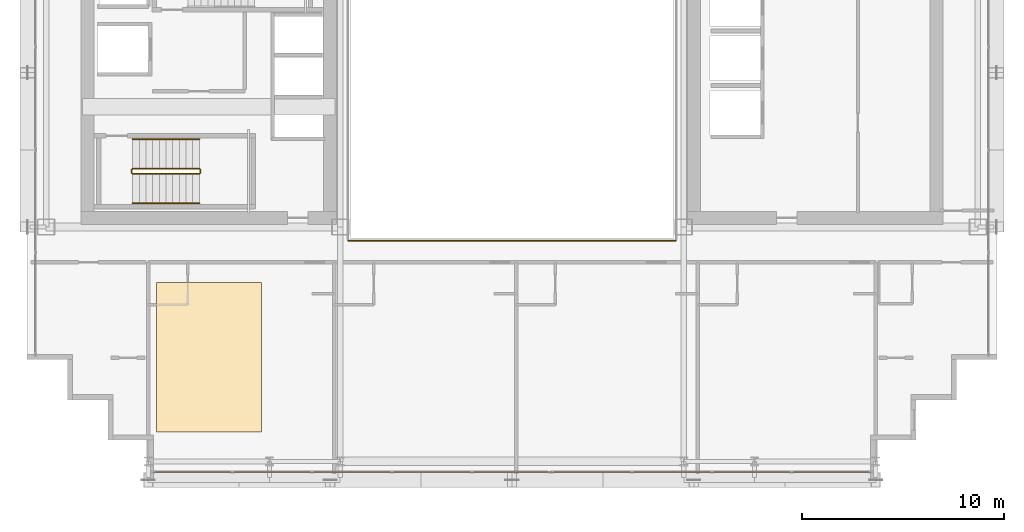
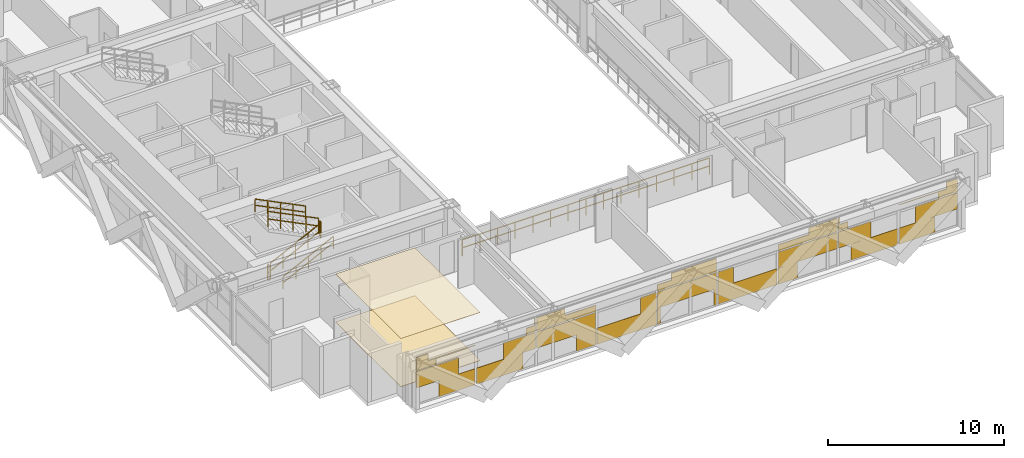
# One storey, part 31 of 34: 7 railings, 3 coverings.
"""IFC4 building model written with IfcOpenShell, lengths in metres."""

from ifc_helpers import new_model, si_unit, direction, frame, origin, origin_2d, place, context, subcontext, project, spatial, polyline, rectangle, outline, extrude, material, layer, layer_set, type_object, element, save


model = new_model("IFC4")

# Units and contexts
model_context = context("Model", 3, precision=1e-05, world=origin(), true_north=direction((0.0, 1.0)))
body_context = subcontext(model_context, "Body", "Model", "MODEL_VIEW")
ifc_project = project(units=[si_unit("LENGTHUNIT", "METRE"), si_unit("AREAUNIT", "SQUARE_METRE"), si_unit("VOLUMEUNIT", "CUBIC_METRE"), si_unit("PLANEANGLEUNIT", "RADIAN"), si_unit("MASSUNIT", "GRAM", prefix="KILO")], contexts=[model_context])

# Site, building, storey
site_placement = place(None, origin())
site = spatial("IfcSite", under=ifc_project, at=site_placement, CompositionType="ELEMENT")
building_placement = place(site_placement, origin())
building = spatial("IfcBuilding", under=site, at=building_placement, Name="Ocotamira Hotel", CompositionType="ELEMENT")
storey_placement = place(building_placement, frame((0.0, 0.0, 108.0)))
storey = spatial("IfcBuildingStorey", under=building, at=storey_placement, Name="L26", CompositionType="ELEMENT", Elevation=108.0)

# Coverings
ifc_material_1 = material(Name="Perforated acoustic gypsum ceiling board", Category="gypsum")
ifc_layer_1 = layer(ifc_material_1, 0.02490234375)
ifc_layer_set_1 = layer_set([ifc_layer_1], Name="Perforated acoustic gypsum ceiling board")
covering_type_1 = type_object("IfcCoveringType", Name="COV-CEIL-25", PredefinedType="CEILING", material=ifc_layer_set_1)
covering_1_placement = place(storey_placement, frame((0.0, 0.0, 3.3349609375)))
element("IfcCovering", 1, at=covering_1_placement, inside=storey, type_object=covering_type_1, Name="L26 Acoustic Ceiling", PredefinedType="CEILING", context=body_context, shape_type="SweptSolid", body=[
    extrude(outline(polyline([(14.39990234375, 4.39990234375), (19.60009765625, 4.39990234375), (19.60009765625, 11.800048828125), (14.39990234375, 11.800048828125), (14.39990234375, 4.39990234375)])), origin(), (0.0, 0.0, 1.0), 0.025146484375),
])
ifc_material_2 = material(Name="Honed desert travertine stone flooring", Category="masonry")
ifc_layer_2 = layer(ifc_material_2, 0.030029296875)
ifc_layer_set_2 = layer_set([ifc_layer_2], Name="Honed desert travertine stone flooring")
covering_type_2 = type_object("IfcCoveringType", Name="COV-FLOR-30", PredefinedType="FLOORING", material=ifc_layer_set_2)
covering_2_placement = place(storey_placement, origin())
element("IfcCovering", 2, at=covering_2_placement, inside=storey, type_object=covering_type_2, Name="L26 Honed Stone Floor Finish", PredefinedType="FLOORING", context=body_context, shape_type="SweptSolid", body=[
    extrude(outline(polyline([(14.39990234375, 4.39990234375), (19.60009765625, 4.39990234375), (19.60009765625, 11.800048828125), (14.39990234375, 11.800048828125), (14.39990234375, 4.39990234375)])), origin(), (0.0, 0.0, 1.0), 0.030029296875),
])
ifc_material_3 = material(Name="Insulated pale-metal aluminium spandrel panel", Category="aluminium")
ifc_layer_3 = layer(ifc_material_3, 0.044921875)
ifc_layer_set_3 = layer_set([ifc_layer_3], Name="Insulated pale-metal aluminium spandrel panel")
covering_type_3 = type_object("IfcCoveringType", Name="COV-INFILL-45", PredefinedType="CLADDING", material=ifc_layer_set_3)
covering_3_placement = place(storey_placement, origin())
element("IfcCovering", 3, at=covering_3_placement, inside=storey, type_object=covering_type_3, Name="L26 Curtain Wall Infill CW-3 CW-L26-S1", PredefinedType="CLADDING", context=body_context, shape_type="SweptSolid", body=[
    extrude(rectangle(XDim=2.754638671875, YDim=0.044921875, at=origin_2d()), frame((15.65771484375, 2.419921875, 1.1943359375), z_axis=(0.0, 0.0, 1.0), x_axis=(1.0, 0.0, 0.0)), (0.0, 0.0, 1.0), 1.117919921875),
    extrude(rectangle(XDim=2.359619140625, YDim=0.044921875, at=origin_2d()), frame((16.935302734375, 2.419921875, 0.07568359375), z_axis=(0.0, 0.0, 1.0), x_axis=(1.0, 0.0, 0.0)), (0.0, 0.0, 1.0), 1.11767578125),
    extrude(rectangle(XDim=1.262451171875, YDim=0.044921875, at=origin_2d()), frame((14.91162109375, 2.419921875, 2.387939453125), z_axis=(0.0, 0.0, 1.0), x_axis=(1.0, 0.0, 0.0)), (0.0, 0.0, 1.0), 0.3935546875),
    extrude(rectangle(XDim=3.834716796875, YDim=0.044921875, at=origin_2d()), frame((16.19775390625, 2.419921875, 2.782470703125), z_axis=(0.0, 0.0, 1.0), x_axis=(1.0, 0.0, 0.0)), (0.0, 0.0, 1.0), 0.0302734375),
    extrude(rectangle(XDim=0.730224609375, YDim=0.044921875, at=origin_2d()), frame((14.6455078125, 2.419921875, 2.813720703125), z_axis=(0.0, 0.0, 1.0), x_axis=(1.0, 0.0, 0.0)), (0.0, 0.0, 1.0), 0.470703125),
    extrude(rectangle(XDim=3.04833984375, YDim=0.044921875, at=origin_2d()), frame((19.72021484375, 2.419921875, 0.07568359375), z_axis=(0.0, 0.0, 1.0), x_axis=(1.0, 0.0, 0.0)), (0.0, 0.0, 1.0), 1.11767578125),
    extrude(rectangle(XDim=2.105712890625, YDim=0.044921875, at=origin_2d()), frame((21.017578125, 2.419921875, 1.1943359375), z_axis=(0.0, 0.0, 1.0), x_axis=(1.0, 0.0, 0.0)), (0.0, 0.0, 1.0), 1.117919921875),
    extrude(rectangle(XDim=0.613525390625, YDim=0.044921875, at=origin_2d()), frame((21.763916015625, 2.419921875, 2.387939453125), z_axis=(0.0, 0.0, 1.0), x_axis=(1.0, 0.0, 0.0)), (0.0, 0.0, 1.0), 0.4248046875),
    extrude(rectangle(XDim=0.081298828125, YDim=0.044921875, at=origin_2d()), frame((22.02978515625, 2.419921875, 2.813720703125), z_axis=(0.0, 0.0, 1.0), x_axis=(1.0, 0.0, 0.0)), (0.0, 0.0, 1.0), 0.470703125),
    extrude(rectangle(XDim=3.87451171875, YDim=0.044921875, at=origin_2d()), frame((24.0888671875, 2.419921875, 1.1943359375), z_axis=(0.0, 0.0, 1.0), x_axis=(1.0, 0.0, 0.0)), (0.0, 0.0, 1.0), 1.117919921875),
    extrude(rectangle(XDim=1.270751953125, YDim=0.044921875, at=origin_2d()), frame((25.390869140625, 2.419921875, 0.07568359375), z_axis=(0.0, 0.0, 1.0), x_axis=(1.0, 0.0, 0.0)), (0.0, 0.0, 1.0), 1.11767578125),
    extrude(rectangle(XDim=3.87451171875, YDim=0.044921875, at=origin_2d()), frame((24.0888671875, 2.419921875, 2.387939453125), z_axis=(0.0, 0.0, 1.0), x_axis=(1.0, 0.0, 0.0)), (0.0, 0.0, 1.0), 0.4248046875),
    extrude(rectangle(XDim=1.859130859375, YDim=0.044921875, at=origin_2d()), frame((23.081298828125, 2.419921875, 2.813720703125), z_axis=(0.0, 0.0, 1.0), x_axis=(1.0, 0.0, 0.0)), (0.0, 0.0, 1.0), 0.470703125),
    extrude(rectangle(XDim=3.87451171875, YDim=0.044921875, at=origin_2d()), frame((28.04443359375, 2.419921875, 0.07568359375), z_axis=(0.0, 0.0, 1.0), x_axis=(1.0, 0.0, 0.0)), (0.0, 0.0, 1.0), 1.11767578125),
    extrude(rectangle(XDim=1.016845703125, YDim=0.044921875, at=origin_2d()), frame((29.473388671875, 2.419921875, 1.1943359375), z_axis=(0.0, 0.0, 1.0), x_axis=(1.0, 0.0, 0.0)), (0.0, 0.0, 1.0), 1.117919921875),
    extrude(rectangle(XDim=0.181884765625, YDim=0.044921875, at=origin_2d()), frame((30.153564453125, 2.419921875, 0.07568359375), z_axis=(0.0, 0.0, 1.0), x_axis=(1.0, 0.0, 0.0)), (0.0, 0.0, 1.0), 1.11767578125),
    extrude(rectangle(XDim=3.87451171875, YDim=0.044921875, at=origin_2d()), frame((32.0, 2.419921875, 1.1943359375), z_axis=(0.0, 0.0, 1.0), x_axis=(1.0, 0.0, 0.0)), (0.0, 0.0, 1.0), 1.117919921875),
    extrude(rectangle(XDim=0.181884765625, YDim=0.044921875, at=origin_2d()), frame((33.846435546875, 2.419921875, 0.07568359375), z_axis=(0.0, 0.0, 1.0), x_axis=(1.0, 0.0, 0.0)), (0.0, 0.0, 1.0), 1.11767578125),
    extrude(rectangle(XDim=3.87451171875, YDim=0.044921875, at=origin_2d()), frame((32.0, 2.419921875, 2.387939453125), z_axis=(0.0, 0.0, 1.0), x_axis=(1.0, 0.0, 0.0)), (0.0, 0.0, 1.0), 0.4248046875),
    extrude(rectangle(XDim=2.947998046875, YDim=0.044921875, at=origin_2d()), frame((32.46337890625, 2.419921875, 2.813720703125), z_axis=(0.0, 0.0, 1.0), x_axis=(1.0, 0.0, 0.0)), (0.0, 0.0, 1.0), 0.470703125),
    extrude(rectangle(XDim=3.87451171875, YDim=0.044921875, at=origin_2d()), frame((35.95556640625, 2.419921875, 0.07568359375), z_axis=(0.0, 0.0, 1.0), x_axis=(1.0, 0.0, 0.0)), (0.0, 0.0, 1.0), 1.11767578125),
    extrude(rectangle(XDim=1.016845703125, YDim=0.044921875, at=origin_2d()), frame((34.526611328125, 2.419921875, 1.1943359375), z_axis=(0.0, 0.0, 1.0), x_axis=(1.0, 0.0, 0.0)), (0.0, 0.0, 1.0), 1.117919921875),
    extrude(rectangle(XDim=1.270751953125, YDim=0.044921875, at=origin_2d()), frame((38.609130859375, 2.419921875, 0.07568359375), z_axis=(0.0, 0.0, 1.0), x_axis=(1.0, 0.0, 0.0)), (0.0, 0.0, 1.0), 1.11767578125),
    extrude(rectangle(XDim=3.87451171875, YDim=0.044921875, at=origin_2d()), frame((39.9111328125, 2.419921875, 1.1943359375), z_axis=(0.0, 0.0, 1.0), x_axis=(1.0, 0.0, 0.0)), (0.0, 0.0, 1.0), 1.117919921875),
    extrude(rectangle(XDim=3.87451171875, YDim=0.044921875, at=origin_2d()), frame((39.9111328125, 2.419921875, 2.387939453125), z_axis=(0.0, 0.0, 1.0), x_axis=(1.0, 0.0, 0.0)), (0.0, 0.0, 1.0), 0.4248046875),
    extrude(rectangle(XDim=1.859130859375, YDim=0.044921875, at=origin_2d()), frame((40.918701171875, 2.419921875, 2.813720703125), z_axis=(0.0, 0.0, 1.0), x_axis=(1.0, 0.0, 0.0)), (0.0, 0.0, 1.0), 0.470703125),
    extrude(rectangle(XDim=2.105712890625, YDim=0.044921875, at=origin_2d()), frame((42.982421875, 2.419921875, 1.1943359375), z_axis=(0.0, 0.0, 1.0), x_axis=(1.0, 0.0, 0.0)), (0.0, 0.0, 1.0), 1.117919921875),
    extrude(rectangle(XDim=3.04833984375, YDim=0.044921875, at=origin_2d()), frame((44.27978515625, 2.419921875, 0.07568359375), z_axis=(0.0, 0.0, 1.0), x_axis=(1.0, 0.0, 0.0)), (0.0, 0.0, 1.0), 1.11767578125),
    extrude(rectangle(XDim=0.613525390625, YDim=0.044921875, at=origin_2d()), frame((42.236083984375, 2.419921875, 2.387939453125), z_axis=(0.0, 0.0, 1.0), x_axis=(1.0, 0.0, 0.0)), (0.0, 0.0, 1.0), 0.4248046875),
    extrude(rectangle(XDim=0.081298828125, YDim=0.044921875, at=origin_2d()), frame((41.97021484375, 2.419921875, 2.813720703125), z_axis=(0.0, 0.0, 1.0), x_axis=(1.0, 0.0, 0.0)), (0.0, 0.0, 1.0), 0.470703125),
    extrude(rectangle(XDim=2.359619140625, YDim=0.044921875, at=origin_2d()), frame((47.064697265625, 2.419921875, 0.07568359375), z_axis=(0.0, 0.0, 1.0), x_axis=(1.0, 0.0, 0.0)), (0.0, 0.0, 1.0), 1.11767578125),
    extrude(rectangle(XDim=2.754638671875, YDim=0.044921875, at=origin_2d()), frame((48.34228515625, 2.419921875, 1.1943359375), z_axis=(0.0, 0.0, 1.0), x_axis=(1.0, 0.0, 0.0)), (0.0, 0.0, 1.0), 1.117919921875),
    extrude(rectangle(XDim=3.834716796875, YDim=0.044921875, at=origin_2d()), frame((47.80224609375, 2.419921875, 2.782470703125), z_axis=(0.0, 0.0, 1.0), x_axis=(1.0, 0.0, 0.0)), (0.0, 0.0, 1.0), 0.0302734375),
    extrude(rectangle(XDim=1.262451171875, YDim=0.044921875, at=origin_2d()), frame((49.08837890625, 2.419921875, 2.387939453125), z_axis=(0.0, 0.0, 1.0), x_axis=(1.0, 0.0, 0.0)), (0.0, 0.0, 1.0), 0.3935546875),
    extrude(rectangle(XDim=0.730224609375, YDim=0.044921875, at=origin_2d()), frame((49.3544921875, 2.419921875, 2.813720703125), z_axis=(0.0, 0.0, 1.0), x_axis=(1.0, 0.0, 0.0)), (0.0, 0.0, 1.0), 0.470703125),
])

# Railings
ifc_material_4 = material(Name="Painted steel stair guardrail", Category="steel")
railing_type_1 = type_object("IfcRailingType", Name="RL-EDGE-1150", PredefinedType="GUARDRAIL", material=ifc_material_4)
railing_1_placement = place(storey_placement, frame((23.89990234375, 13.8798828125, 0.0)))
element("IfcRailing", 4, at=railing_1_placement, inside=storey, type_object=railing_type_1, Name="L26 Central Atrium Edge Guardrail S", PredefinedType="GUARDRAIL", context=body_context, shape_type="SweptSolid", body=[
    extrude(rectangle(XDim=0.048095703125, YDim=0.048095703125, at=origin_2d()), frame((0.0, 0.0, 1.1259765625), z_axis=(1.0, 0.0, 0.0), x_axis=(0.0, 1.0, 0.0)), (0.0, 0.0, 1.0), 16.2001953125),
    extrude(rectangle(XDim=0.048095703125, YDim=0.048095703125, at=origin_2d()), frame((0.0, 0.0, 0.574951171875), z_axis=(1.0, 0.0, 0.0), x_axis=(0.0, 1.0, 0.0)), (0.0, 0.0, 1.0), 16.2001953125),
    extrude(rectangle(XDim=0.0419921875, YDim=0.0419921875, at=origin_2d()), origin(), (0.0, 0.0, 1.0), 1.101806640625),
    extrude(rectangle(XDim=0.0419921875, YDim=0.0419921875, at=origin_2d()), frame((1.1572265625, 0.0, 0.0)), (0.0, 0.0, 1.0), 1.101806640625),
    extrude(rectangle(XDim=0.0419921875, YDim=0.0419921875, at=origin_2d()), frame((2.314208984375, 0.0, 0.0)), (0.0, 0.0, 1.0), 1.101806640625),
    extrude(rectangle(XDim=0.0419921875, YDim=0.0419921875, at=origin_2d()), frame((3.471435546875, 0.0, 0.0)), (0.0, 0.0, 1.0), 1.101806640625),
    extrude(rectangle(XDim=0.0419921875, YDim=0.0419921875, at=origin_2d()), frame((4.628662109375, 0.0, 0.0)), (0.0, 0.0, 1.0), 1.101806640625),
    extrude(rectangle(XDim=0.0419921875, YDim=0.0419921875, at=origin_2d()), frame((5.785888671875, 0.0, 0.0)), (0.0, 0.0, 1.0), 1.101806640625),
    extrude(rectangle(XDim=0.0419921875, YDim=0.0419921875, at=origin_2d()), frame((6.94287109375, 0.0, 0.0)), (0.0, 0.0, 1.0), 1.101806640625),
    extrude(rectangle(XDim=0.0419921875, YDim=0.0419921875, at=origin_2d()), frame((8.10009765625, 0.0, 0.0)), (0.0, 0.0, 1.0), 1.101806640625),
    extrude(rectangle(XDim=0.0419921875, YDim=0.0419921875, at=origin_2d()), frame((9.25732421875, 0.0, 0.0)), (0.0, 0.0, 1.0), 1.101806640625),
    extrude(rectangle(XDim=0.0419921875, YDim=0.0419921875, at=origin_2d()), frame((10.414306640625, 0.0, 0.0)), (0.0, 0.0, 1.0), 1.101806640625),
    extrude(rectangle(XDim=0.0419921875, YDim=0.0419921875, at=origin_2d()), frame((11.571533203125, 0.0, 0.0)), (0.0, 0.0, 1.0), 1.101806640625),
    extrude(rectangle(XDim=0.0419921875, YDim=0.0419921875, at=origin_2d()), frame((12.728759765625, 0.0, 0.0)), (0.0, 0.0, 1.0), 1.101806640625),
    extrude(rectangle(XDim=0.0419921875, YDim=0.0419921875, at=origin_2d()), frame((13.885986328125, 0.0, 0.0)), (0.0, 0.0, 1.0), 1.101806640625),
    extrude(rectangle(XDim=0.0419921875, YDim=0.0419921875, at=origin_2d()), frame((15.04296875, 0.0, 0.0)), (0.0, 0.0, 1.0), 1.101806640625),
    extrude(rectangle(XDim=0.0419921875, YDim=0.0419921875, at=origin_2d()), frame((16.2001953125, 0.0, 0.0)), (0.0, 0.0, 1.0), 1.101806640625),
])
ifc_material_5 = material(Name="Brushed stainless steel handrail", Category="steel")
railing_type_2 = type_object("IfcRailingType", Name="RL-HAND-900", PredefinedType="HANDRAIL", material=ifc_material_5)
railing_2_placement = place(storey_placement, frame((13.22998046875, 15.719970703125, 0.327392578125)))
element("IfcRailing", 5, at=railing_2_placement, inside=storey, type_object=railing_type_2, Name="L26 ST-1 stair handrail 1", PredefinedType="HANDRAIL", context=body_context, shape_type="SweptSolid", body=[
    extrude(rectangle(XDim=0.048095703125, YDim=0.048095703125, at=origin_2d()), frame((0.0, 0.0, 0.8759765625), z_axis=(0.895920123917, 0.0, 0.444215186098), x_axis=(0.0, 1.0, 0.0)), (0.0, 0.0, 1.0), 3.683349609375),
    extrude(rectangle(XDim=0.048095703125, YDim=0.048095703125, at=origin_2d()), frame((0.0, 0.0, 0.449951171875), z_axis=(0.895920123917, 0.0, 0.444215186098), x_axis=(0.0, 1.0, 0.0)), (0.0, 0.0, 1.0), 3.683349609375),
    extrude(rectangle(XDim=0.0419921875, YDim=0.0419921875, at=origin_2d()), origin(), (0.0, 0.0, 1.0), 0.851806640625),
    extrude(rectangle(XDim=0.0419921875, YDim=0.0419921875, at=origin_2d()), frame((0.824951171875, 0.0, 0.4091796875)), (0.0, 0.0, 1.0), 0.851806640625),
    extrude(rectangle(XDim=0.0419921875, YDim=0.0419921875, at=origin_2d()), frame((1.64990234375, 0.0, 0.818115234375)), (0.0, 0.0, 1.0), 0.851806640625),
    extrude(rectangle(XDim=0.0419921875, YDim=0.0419921875, at=origin_2d()), frame((2.47509765625, 0.0, 1.22705078125)), (0.0, 0.0, 1.0), 0.851806640625),
    extrude(rectangle(XDim=0.0419921875, YDim=0.0419921875, at=origin_2d()), frame((3.300048828125, 0.0, 1.63623046875)), (0.0, 0.0, 1.0), 0.851806640625),
])
railing_3_placement = place(storey_placement, frame((16.530029296875, 18.89990234375, 2.127197265625)))
element("IfcRailing", 6, at=railing_3_placement, inside=storey, type_object=railing_type_2, Name="L26 ST-1 stair handrail 2", PredefinedType="HANDRAIL", context=body_context, shape_type="SweptSolid", body=[
    extrude(rectangle(XDim=0.048095703125, YDim=0.048095703125, at=origin_2d()), frame((0.0, 0.0, 0.8759765625), z_axis=(-0.895893744519, 0.0, 0.4442683857), x_axis=(0.0, -1.0, 0.0)), (0.0, 0.0, 1.0), 3.68359375),
    extrude(rectangle(XDim=0.048095703125, YDim=0.048095703125, at=origin_2d()), frame((0.0, 0.0, 0.449951171875), z_axis=(-0.895893744519, 0.0, 0.4442683857), x_axis=(0.0, -1.0, 0.0)), (0.0, 0.0, 1.0), 3.68359375),
    extrude(rectangle(XDim=0.0419921875, YDim=0.0419921875, at=origin_2d()), origin(), (0.0, 0.0, 1.0), 0.851806640625),
    extrude(rectangle(XDim=0.0419921875, YDim=0.0419921875, at=origin_2d()), frame((-0.824951171875, 0.0, 0.4091796875)), (0.0, 0.0, 1.0), 0.851806640625),
    extrude(rectangle(XDim=0.0419921875, YDim=0.0419921875, at=origin_2d()), frame((-1.64990234375, 0.0, 0.818359375)), (0.0, 0.0, 1.0), 0.851806640625),
    extrude(rectangle(XDim=0.0419921875, YDim=0.0419921875, at=origin_2d()), frame((-2.47509765625, 0.0, 1.227294921875)), (0.0, 0.0, 1.0), 0.851806640625),
    extrude(rectangle(XDim=0.0419921875, YDim=0.0419921875, at=origin_2d()), frame((-3.300048828125, 0.0, 1.636474609375)), (0.0, 0.0, 1.0), 0.851806640625),
])
railing_type_3 = type_object("IfcRailingType", Name="RL-STAIR-1100", PredefinedType="GUARDRAIL", material=ifc_material_4)
railing_4_placement = place(storey_placement, frame((13.22998046875, 17.179931640625, 0.16357421875)))
element("IfcRailing", 7, at=railing_4_placement, inside=storey, type_object=railing_type_3, Name="L26 ST-1 stair guard 1", PredefinedType="GUARDRAIL", context=body_context, shape_type="SweptSolid", body=[
    extrude(rectangle(XDim=0.048095703125, YDim=0.048095703125, at=origin_2d()), frame((0.0, 0.0, 1.076171875), z_axis=(0.895893744519, 0.0, 0.4442683857), x_axis=(0.0, 1.0, 0.0)), (0.0, 0.0, 1.0), 3.68359375),
    extrude(rectangle(XDim=0.048095703125, YDim=0.048095703125, at=origin_2d()), frame((0.0, 0.0, 0.550048828125), z_axis=(0.895893744519, 0.0, 0.4442683857), x_axis=(0.0, 1.0, 0.0)), (0.0, 0.0, 1.0), 3.68359375),
    extrude(rectangle(XDim=0.0419921875, YDim=0.0419921875, at=origin_2d()), origin(), (0.0, 0.0, 1.0), 1.052001953125),
    extrude(rectangle(XDim=0.0419921875, YDim=0.0419921875, at=origin_2d()), frame((0.824951171875, 0.0, 0.4091796875)), (0.0, 0.0, 1.0), 1.052001953125),
    extrude(rectangle(XDim=0.0419921875, YDim=0.0419921875, at=origin_2d()), frame((1.64990234375, 0.0, 0.818359375)), (0.0, 0.0, 1.0), 1.052001953125),
    extrude(rectangle(XDim=0.0419921875, YDim=0.0419921875, at=origin_2d()), frame((2.47509765625, 0.0, 1.227294921875)), (0.0, 0.0, 1.0), 1.052001953125),
    extrude(rectangle(XDim=0.0419921875, YDim=0.0419921875, at=origin_2d()), frame((3.300048828125, 0.0, 1.636474609375)), (0.0, 0.0, 1.0), 1.052001953125),
])
railing_5_placement = place(storey_placement, frame((16.580078125, 17.22998046875, 1.800048828125)))
element("IfcRailing", 8, at=railing_5_placement, inside=storey, type_object=railing_type_3, Name="L26 ST-1 stair guard 2", PredefinedType="GUARDRAIL", context=body_context, shape_type="SweptSolid", body=[
    extrude(rectangle(XDim=0.048095703125, YDim=0.048095703125, at=origin_2d()), frame((0.0, 0.0, 1.076171875), z_axis=(0.0, 1.0, 0.0), x_axis=(-1.0, 0.0, 0.0)), (0.0, 0.0, 1.0), 0.159912109375),
    extrude(rectangle(XDim=0.048095703125, YDim=0.048095703125, at=origin_2d()), frame((0.0, 0.0, 0.550048828125), z_axis=(0.0, 1.0, 0.0), x_axis=(-1.0, 0.0, 0.0)), (0.0, 0.0, 1.0), 0.159912109375),
    extrude(rectangle(XDim=0.0419921875, YDim=0.0419921875, at=origin_2d()), origin(), (0.0, 0.0, 1.0), 1.052001953125),
    extrude(rectangle(XDim=0.0419921875, YDim=0.0419921875, at=origin_2d()), frame((0.0, 0.159912109375, 0.0)), (0.0, 0.0, 1.0), 1.052001953125),
])
railing_6_placement = place(storey_placement, frame((16.530029296875, 17.43994140625, 1.963623046875)))
element("IfcRailing", 9, at=railing_6_placement, inside=storey, type_object=railing_type_3, Name="L26 ST-1 stair guard 3", PredefinedType="GUARDRAIL", context=body_context, shape_type="SweptSolid", body=[
    extrude(rectangle(XDim=0.048095703125, YDim=0.048095703125, at=origin_2d()), frame((0.0, 0.0, 1.076171875), z_axis=(-0.895893744519, 0.0, 0.4442683857), x_axis=(0.0, -1.0, 0.0)), (0.0, 0.0, 1.0), 3.68359375),
    extrude(rectangle(XDim=0.048095703125, YDim=0.048095703125, at=origin_2d()), frame((0.0, 0.0, 0.550048828125), z_axis=(-0.895893744519, 0.0, 0.4442683857), x_axis=(0.0, -1.0, 0.0)), (0.0, 0.0, 1.0), 3.68359375),
    extrude(rectangle(XDim=0.0419921875, YDim=0.0419921875, at=origin_2d()), origin(), (0.0, 0.0, 1.0), 1.052001953125),
    extrude(rectangle(XDim=0.0419921875, YDim=0.0419921875, at=origin_2d()), frame((-0.824951171875, 0.0, 0.4091796875)), (0.0, 0.0, 1.0), 1.052001953125),
    extrude(rectangle(XDim=0.0419921875, YDim=0.0419921875, at=origin_2d()), frame((-1.64990234375, 0.0, 0.818359375)), (0.0, 0.0, 1.0), 1.052001953125),
    extrude(rectangle(XDim=0.0419921875, YDim=0.0419921875, at=origin_2d()), frame((-2.47509765625, 0.0, 1.227294921875)), (0.0, 0.0, 1.0), 1.052001953125),
    extrude(rectangle(XDim=0.0419921875, YDim=0.0419921875, at=origin_2d()), frame((-3.300048828125, 0.0, 1.636474609375)), (0.0, 0.0, 1.0), 1.052001953125),
])
railing_7_placement = place(storey_placement, frame((13.179931640625, 17.22998046875, 0.0)))
element("IfcRailing", 10, at=railing_7_placement, inside=storey, type_object=railing_type_3, Name="L26 ST-1 stair guard 4", PredefinedType="GUARDRAIL", context=body_context, shape_type="SweptSolid", body=[
    extrude(rectangle(XDim=0.048095703125, YDim=0.048095703125, at=origin_2d()), frame((0.0, 0.0, 1.076171875), z_axis=(0.0, 1.0, 0.0), x_axis=(-1.0, 0.0, 0.0)), (0.0, 0.0, 1.0), 0.159912109375),
    extrude(rectangle(XDim=0.048095703125, YDim=0.048095703125, at=origin_2d()), frame((0.0, 0.0, 0.550048828125), z_axis=(0.0, 1.0, 0.0), x_axis=(-1.0, 0.0, 0.0)), (0.0, 0.0, 1.0), 0.159912109375),
    extrude(rectangle(XDim=0.0419921875, YDim=0.0419921875, at=origin_2d()), origin(), (0.0, 0.0, 1.0), 1.052001953125),
    extrude(rectangle(XDim=0.0419921875, YDim=0.0419921875, at=origin_2d()), frame((0.0, 0.159912109375, 0.0)), (0.0, 0.0, 1.0), 1.052001953125),
])

save(model, "model.ifc")
